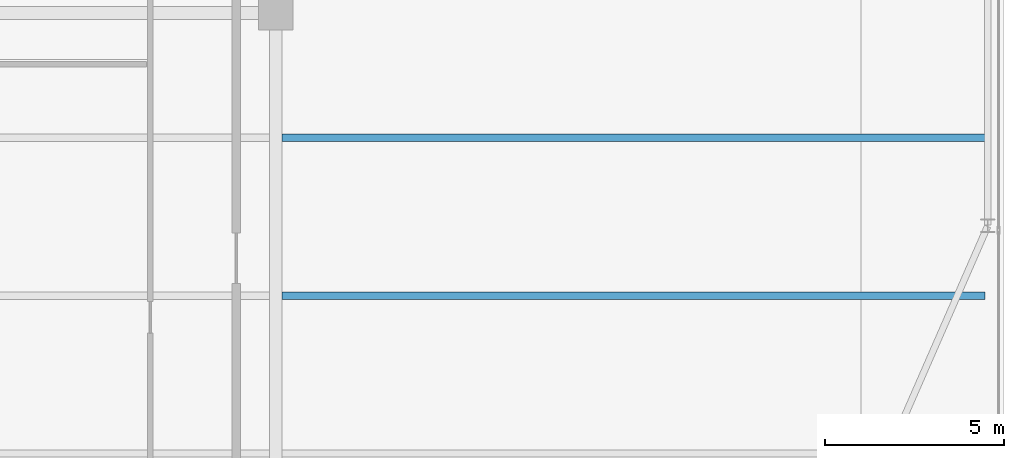
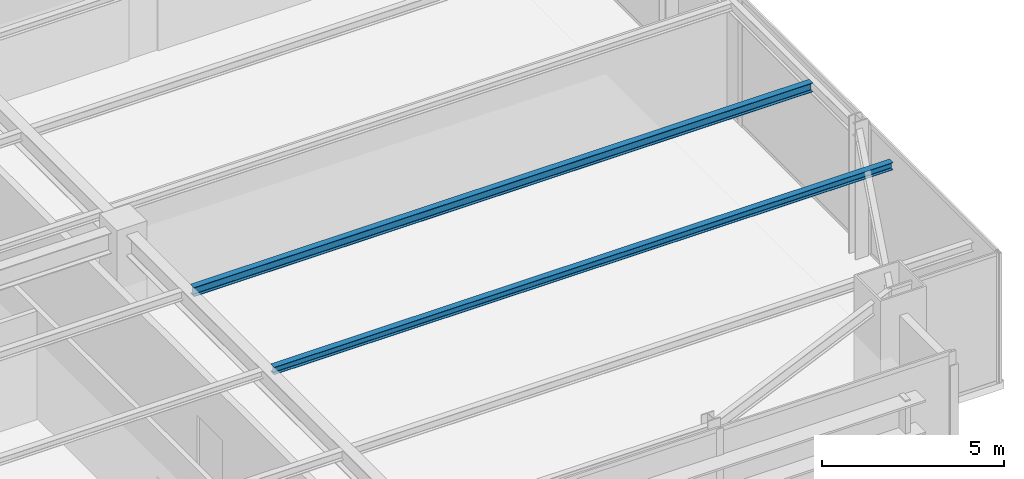
# One storey, part 20 of 32: 2 beams.
"""IFC4 building model written with IfcOpenShell, lengths in metres."""

from ifc_helpers import new_model, si_unit, direction, frame, origin, origin_2d, place, context, subcontext, project, spatial, i_section, extrude, source, transform, mapped, material, material_profile, profile_set, type_object, type_shapes, element, save


model = new_model("IFC4")

# Units and contexts
model_context = context("Model", 3, precision=1e-05, world=origin(), true_north=direction((0.0, 1.0)))
body_context = subcontext(model_context, "Body", "Model", "MODEL_VIEW")
ifc_project = project(units=[si_unit("LENGTHUNIT", "METRE"), si_unit("AREAUNIT", "SQUARE_METRE"), si_unit("VOLUMEUNIT", "CUBIC_METRE"), si_unit("PLANEANGLEUNIT", "RADIAN"), si_unit("MASSUNIT", "GRAM", prefix="KILO")], contexts=[model_context])

# Site, building, storey
site_placement = place(None, origin())
site = spatial("IfcSite", under=ifc_project, at=site_placement, CompositionType="ELEMENT")
building_placement = place(site_placement, origin())
building = spatial("IfcBuilding", under=site, at=building_placement, Name="Varnel Quay Broadcast Tower", CompositionType="ELEMENT")
storey_placement = place(building_placement, frame((0.0, 0.0, 98.39990234375)))
storey = spatial("IfcBuildingStorey", under=building, at=storey_placement, Name="L23", CompositionType="ELEMENT", Elevation=98.39990234375)

# Beams
ifc_material = material(Name="Structural Steel CSA G40.21 350W", Category="steel")
ifc_material_profile_1 = material_profile(ifc_material, i_section(OverallWidth=0.202880859375, OverallDepth=0.302978515625, WebThickness=0.007568359375, FlangeThickness=0.01318359375, FilletRadius=0.011962890625, at=origin_2d()), Name="W310X60")
ifc_profile_set_1 = profile_set([ifc_material_profile_1], Name="Structural Steel CSA G40.21 350W")
beam_type_1 = type_object("IfcBeamType", Name="Beam_W310X60", PredefinedType="JOIST", material=ifc_profile_set_1)
shared_shape_1 = source(origin(), body_context, "Body", "SweptSolid", [
    extrude(i_section(OverallWidth=0.202880859375, OverallDepth=0.302978515625, WebThickness=0.007568359375, FlangeThickness=0.01318359375, FilletRadius=0.011962890625, at=origin_2d()), origin(), (0.0, 0.0, 1.0), 19.592041015625),
])
type_shapes(beam_type_1, [shared_shape_1])
beam_1_placement = place(storey_placement, frame((43.37255859375, 17.449951171875, 4.198486328125), z_axis=(1.0, 0.0, 0.0), x_axis=(0.0, 1.0, 0.0)))
element("IfcBeam", 1, at=beam_1_placement, inside=storey, type_object=beam_type_1, Name="L23 East Floor Joist 3", PredefinedType="JOIST", context=body_context, shape_type="MappedRepresentation", body=[
    mapped(shared_shape_1, transform((0.0, 0.0, 0.0), x_axis=(1.0, 0.0, 0.0), y_axis=(0.0, 1.0, 0.0), z_axis=(0.0, 0.0, 1.0), scale=1.0)),
])
ifc_material_profile_2 = material_profile(ifc_material, i_section(OverallWidth=0.201904296875, OverallDepth=0.2470703125, WebThickness=0.00732421875, FlangeThickness=0.010986328125, FilletRadius=0.010986328125, at=origin_2d()), Name="W250X49")
ifc_profile_set_2 = profile_set([ifc_material_profile_2], Name="Structural Steel CSA G40.21 350W")
beam_type_2 = type_object("IfcBeamType", Name="Beam_W250X49", PredefinedType="JOIST", material=ifc_profile_set_2)
shared_shape_2 = source(origin(), body_context, "Body", "SweptSolid", [
    extrude(i_section(OverallWidth=0.201904296875, OverallDepth=0.2470703125, WebThickness=0.00732421875, FlangeThickness=0.010986328125, FilletRadius=0.010986328125, at=origin_2d()), origin(), (0.0, 0.0, 1.0), 19.592041015625),
])
type_shapes(beam_type_2, [shared_shape_2])
beam_2_placement = place(storey_placement, frame((43.37255859375, 13.050048828125, 4.2265625), z_axis=(1.0, 0.0, 0.0), x_axis=(0.0, 1.0, 0.0)))
element("IfcBeam", 2, at=beam_2_placement, inside=storey, type_object=beam_type_2, Name="L23 East Floor Joist 2", PredefinedType="JOIST", context=body_context, shape_type="MappedRepresentation", body=[
    mapped(shared_shape_2, transform((0.0, 0.0, 0.0), x_axis=(1.0, 0.0, 0.0), y_axis=(0.0, 1.0, 0.0), z_axis=(0.0, 0.0, 1.0), scale=1.0)),
])

save(model, "model.ifc")
